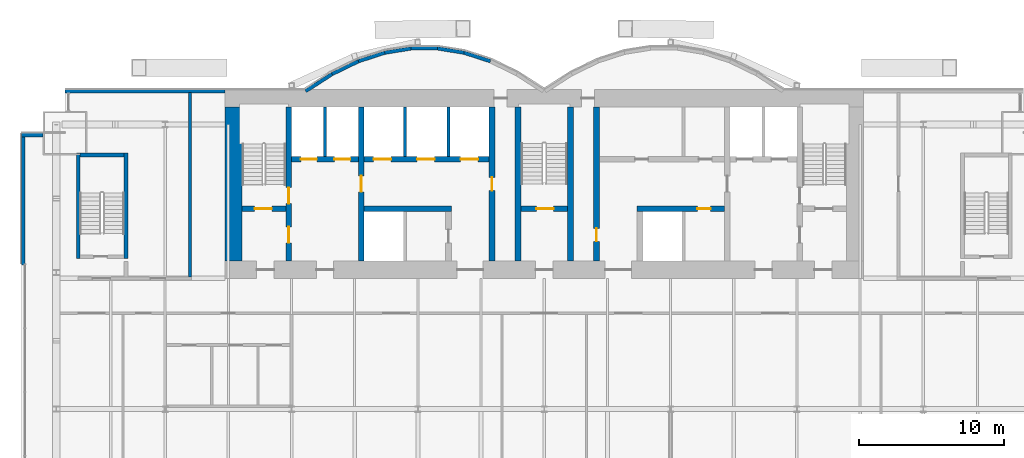
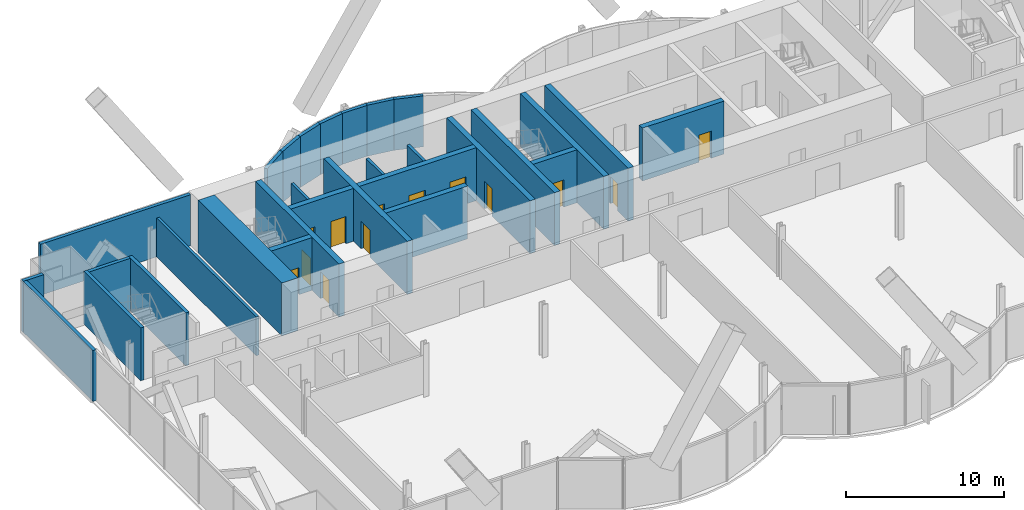
# One storey, part 16 of 21: 29 walls, 13 doors, 13 openings.
"""IFC4 building model written with IfcOpenShell, lengths in metres."""

from ifc_helpers import new_model, si_unit, direction, frame, frame_2d, origin, place, context, subcontext, project, spatial, rectangle, extrude, material, layer, layer_set, layer_usage, type_object, element, fill, save


model = new_model("IFC4")

# Units and contexts
model_context = context("Model", 3, precision=1e-05, world=origin(), true_north=direction((0.0, 1.0)))
body_context = subcontext(model_context, "Body", "Model", "MODEL_VIEW")
ifc_project = project(units=[si_unit("LENGTHUNIT", "METRE"), si_unit("AREAUNIT", "SQUARE_METRE"), si_unit("VOLUMEUNIT", "CUBIC_METRE"), si_unit("PLANEANGLEUNIT", "RADIAN"), si_unit("MASSUNIT", "GRAM", prefix="KILO")], contexts=[model_context])

# Site, building, storey
site_placement = place(None, origin())
site = spatial("IfcSite", under=ifc_project, at=site_placement, CompositionType="ELEMENT")
building_placement = place(site_placement, origin())
building = spatial("IfcBuilding", under=site, at=building_placement, Name="Bicima Exchange Tower", CompositionType="ELEMENT")
storey_placement = place(building_placement, frame((0.0, 0.0, 118.60009765625)))
storey = spatial("IfcBuildingStorey", under=building, at=storey_placement, Name="L25", CompositionType="ELEMENT", Elevation=118.60009765625)

# Walls
ifc_material_1 = material(Name="Gypsum board partition")
ifc_layer_1 = layer(ifc_material_1, 0.199951171875)
ifc_layer_set_1 = layer_set([ifc_layer_1], Name="Gypsum board partition")
wall_type_1 = type_object("IfcWallType", Name="Fire-rated gypsum partition 200 EI120", PredefinedType="PARTITIONING", material=ifc_layer_set_1)
for number, where, z_axis, x_axis, name in (
    (1, (-15.10009765625, -4.60009765625, 0.0), (0.0, 0.0, 1.0), (0.0, 1.0, 0.0), "partition wall 9"),
    (2, (-9.60009765625, -4.60009765625, 0.0), (0.0, 0.0, 1.0), (0.0, 1.0, 0.0), "partition wall 12"),
    (3, (-6.60009765625, -4.60009765625, 0.0), (0.0, 0.0, 1.0), (0.0, 1.0, 0.0), "partition wall 14"),
):
    element("IfcWall", number, at=place(storey_placement, frame(where, z_axis=z_axis, x_axis=x_axis)), inside=storey, type_object=wall_type_1, Name=name, PredefinedType="PARTITIONING", context=body_context, shape_type="SweptSolid", body=[
        extrude(rectangle(XDim=3.400146484375, YDim=0.199951171875, at=frame_2d((1.7001953125, 0.0))), origin(), (0.0, 0.0, 1.0), 3.01806640625),
    ])
ifc_layer_2 = layer(ifc_material_1, 0.199951171875)
ifc_layer_set_2 = layer_set([ifc_layer_2], Name="Gypsum board partition")
wall_type_2 = type_object("IfcWallType", Name="Fire-rated gypsum partition 200 EI60", PredefinedType="PARTITIONING", material=ifc_layer_set_2)
wall_1_placement = place(storey_placement, frame((-24.39990234375, -12.89990234375, 0.0), z_axis=(0.0, 0.0, 1.0), x_axis=(0.0, 1.0, 0.0)))
element("IfcWall", 4, at=wall_1_placement, inside=storey, type_object=wall_type_2, Name="partition wall 16", PredefinedType="PARTITIONING", context=body_context, shape_type="SweptSolid", body=[
    extrude(rectangle(XDim=12.68994140625, YDim=0.199951171875, at=frame_2d((6.344970703125, 0.0))), origin(), (0.0, 0.0, 1.0), 3.01806640625),
])
ifc_material_2 = material(Name="Concrete C60/75", Category="concrete")
ifc_layer_3 = layer(ifc_material_2, 1.199951171875)
ifc_layer_set_3 = layer_set([ifc_layer_3], Name="Concrete C60/75")
wall_type_3 = type_object("IfcWallType", Name="RC core wall 1200 C60/75", PredefinedType="SHEAR", material=ifc_layer_set_3)
wall_2_placement = place(storey_placement, frame((-21.39990234375, -11.800048828125, 0.0), z_axis=(0.0, 0.0, 1.0), x_axis=(0.0, 1.0, 0.0)))
element("IfcWall", 5, at=wall_2_placement, inside=storey, type_object=wall_type_3, Name="Core wall west", PredefinedType="SHEAR", context=body_context, shape_type="SweptSolid", body=[
    extrude(rectangle(XDim=10.60009765625, YDim=1.199951171875, at=frame_2d((5.300048828125, 0.0))), origin(), (0.0, 0.0, 1.0), 4.099853515625),
])

# Wall, opening, door
ifc_material_3 = material(Name="Concrete C50/60", Category="concrete")
ifc_layer_4 = layer(ifc_material_3, 0.39990234375)
ifc_layer_set_4 = layer_set([ifc_layer_4], Name="Concrete C50/60")
wall_type_4 = type_object("IfcWallType", Name="RC core wall 400 C50/60", PredefinedType="SHEAR", material=ifc_layer_set_4)
wall_3_placement = place(storey_placement, frame((-20.800048828125, -8.199951171875, 0.0), z_axis=(0.0, 0.0, 1.0), x_axis=(1.0, 0.0, 0.0)))
wall_3 = element("IfcWall", 6, at=wall_3_placement, inside=storey, type_object=wall_type_4, Name="stair wall 1", PredefinedType="SHEAR", context=body_context, shape_type="SweptSolid", body=[
    extrude(rectangle(XDim=3.0, YDim=0.39990234375, at=frame_2d((1.5, 0.0))), origin(), (0.0, 0.0, 1.0), 4.099853515625),
])
opening_1_placement = place(wall_3_placement, frame((0.85009765625, 0.0, 0.0)))
opening_1 = element("IfcOpeningElement", 7, at=opening_1_placement, cuts=wall_3, Name="Opening L25-C01", PredefinedType="OPENING", context=body_context, shape_type="SweptSolid", body=[
    extrude(rectangle(XDim=1.199951171875, YDim=2.10009765625, at=frame_2d((0.60009765625, 1.050048828125))), frame((0.0, 0.2119140625, 0.0), z_axis=(0.0, -1.0, 0.0), x_axis=(1.0, 0.0, 0.0)), (0.0, 0.0, 1.0), 0.423828125),
])
ifc_material_4 = material(Name="Steel fire door leaf", Category="steel")
door_type_1 = type_object("IfcDoorType", Name="Door 1200 swing FD60S", OperationType="SINGLE_SWING_LEFT", PredefinedType="DOOR", material=ifc_material_4)
door_1_placement = place(opening_1_placement, origin())
door_1 = element("IfcDoor", 8, at=door_1_placement, inside=storey, type_object=door_type_1, Name="Core door", OperationType="SINGLE_SWING_LEFT", OverallHeight=2.10009765625, OverallWidth=1.199951171875, PredefinedType="DOOR", context=body_context, shape_type="SweptSolid", body=[
    extrude(rectangle(XDim=1.199951171875, YDim=2.10009765625, at=frame_2d((0.60009765625, 1.050048828125))), frame((0.0, 0.02490234375, 0.0), z_axis=(0.0, -1.0, 0.0), x_axis=(1.0, 0.0, 0.0)), (0.0, 0.0, 1.0), 0.050048828125),
])
fill(opening_1, door_1)

wall_4_placement = place(storey_placement, frame((-1.60009765625, -8.199951171875, 0.0), z_axis=(0.0, 0.0, 1.0), x_axis=(1.0, 0.0, 0.0)))
wall_4 = element("IfcWall", 9, at=wall_4_placement, inside=storey, type_object=wall_type_4, Name="stair wall 3", PredefinedType="SHEAR", context=body_context, shape_type="SweptSolid", body=[
    extrude(rectangle(XDim=3.2001953125, YDim=0.39990234375, at=frame_2d((1.60009765625, 0.0))), origin(), (0.0, 0.0, 1.0), 4.099853515625),
])
opening_2_placement = place(wall_4_placement, frame((1.050048828125, 0.0, 0.0)))
opening_2 = element("IfcOpeningElement", 10, at=opening_2_placement, cuts=wall_4, Name="Opening L25-C03", PredefinedType="OPENING", context=body_context, shape_type="SweptSolid", body=[
    extrude(rectangle(XDim=1.199951171875, YDim=2.10009765625, at=frame_2d((0.60009765625, 1.050048828125))), frame((0.0, 0.2119140625, 0.0), z_axis=(0.0, -1.0, 0.0), x_axis=(1.0, 0.0, 0.0)), (0.0, 0.0, 1.0), 0.423828125),
])
door_2_placement = place(opening_2_placement, origin())
door_2 = element("IfcDoor", 11, at=door_2_placement, inside=storey, type_object=door_type_1, Name="Core door", OperationType="SINGLE_SWING_LEFT", OverallHeight=2.10009765625, OverallWidth=1.199951171875, PredefinedType="DOOR", context=body_context, shape_type="SweptSolid", body=[
    extrude(rectangle(XDim=1.199951171875, YDim=2.10009765625, at=frame_2d((0.60009765625, 1.050048828125))), frame((0.0, 0.02490234375, 0.0), z_axis=(0.0, -1.0, 0.0), x_axis=(1.0, 0.0, 0.0)), (0.0, 0.0, 1.0), 0.050048828125),
])
fill(opening_2, door_2)

# Wall, openings, doors
wall_5_placement = place(storey_placement, frame((-17.60009765625, -11.800048828125, 0.0), z_axis=(0.0, 0.0, 1.0), x_axis=(0.0, 1.0, 0.0)))
wall_5 = element("IfcWall", 12, at=wall_5_placement, inside=storey, type_object=wall_type_4, Name="stair wall 8", PredefinedType="SHEAR", context=body_context, shape_type="SweptSolid", body=[
    extrude(rectangle(XDim=10.60009765625, YDim=0.39990234375, at=frame_2d((5.300048828125, 0.0))), origin(), (0.0, 0.0, 1.0), 4.099853515625),
])
opening_3_placement = place(wall_5_placement, frame((1.25, 0.0, 0.0)))
opening_3 = element("IfcOpeningElement", 13, at=opening_3_placement, cuts=wall_5, Name="Opening L25-C02", PredefinedType="OPENING", context=body_context, shape_type="SweptSolid", body=[
    extrude(rectangle(XDim=1.10009765625, YDim=2.10009765625, at=frame_2d((0.550048828125, 1.050048828125))), frame((0.0, 0.2119140625, 0.0), z_axis=(0.0, -1.0, 0.0), x_axis=(1.0, 0.0, 0.0)), (0.0, 0.0, 1.0), 0.423828125),
])
opening_4_placement = place(wall_5_placement, frame((3.949951171875, 0.0, 0.0)))
opening_4 = element("IfcOpeningElement", 14, at=opening_4_placement, cuts=wall_5, Name="Opening L25-C06", PredefinedType="OPENING", context=body_context, shape_type="SweptSolid", body=[
    extrude(rectangle(XDim=1.10009765625, YDim=2.10009765625, at=frame_2d((0.550048828125, 1.050048828125))), frame((0.0, 0.2119140625, 0.0), z_axis=(0.0, -1.0, 0.0), x_axis=(1.0, 0.0, 0.0)), (0.0, 0.0, 1.0), 0.423828125),
])
door_type_2 = type_object("IfcDoorType", Name="Door 1100 swing FD60S", OperationType="SINGLE_SWING_LEFT", PredefinedType="DOOR", material=ifc_material_4)
door_3_placement = place(opening_3_placement, frame((1.10009765625, 0.0, 0.0), z_axis=(0.0, 0.0, 1.0), x_axis=(-1.0, 0.0, 0.0)))
door_3 = element("IfcDoor", 15, at=door_3_placement, inside=storey, type_object=door_type_2, Name="Core door", OperationType="SINGLE_SWING_LEFT", OverallHeight=2.10009765625, OverallWidth=1.10009765625, PredefinedType="DOOR", context=body_context, shape_type="SweptSolid", body=[
    extrude(rectangle(XDim=1.10009765625, YDim=2.10009765625, at=frame_2d((0.550048828125, 1.050048828125))), frame((0.0, 0.02490234375, 0.0), z_axis=(0.0, -1.0, 0.0), x_axis=(1.0, 0.0, 0.0)), (0.0, 0.0, 1.0), 0.050048828125),
])
fill(opening_3, door_3)
door_4_placement = place(opening_4_placement, frame((1.10009765625, 0.0, 0.0), z_axis=(0.0, 0.0, 1.0), x_axis=(-1.0, 0.0, 0.0)))
door_4 = element("IfcDoor", 16, at=door_4_placement, inside=storey, type_object=door_type_2, Name="Core door", OperationType="SINGLE_SWING_LEFT", OverallHeight=2.10009765625, OverallWidth=1.10009765625, PredefinedType="DOOR", context=body_context, shape_type="SweptSolid", body=[
    extrude(rectangle(XDim=1.10009765625, YDim=2.10009765625, at=frame_2d((0.550048828125, 1.050048828125))), frame((0.0, 0.02490234375, 0.0), z_axis=(0.0, -1.0, 0.0), x_axis=(1.0, 0.0, 0.0)), (0.0, 0.0, 1.0), 0.050048828125),
])
fill(opening_4, door_4)

# Walls
for number, where, z_axis, x_axis, name in (
    (17, (-1.800048828125, -11.800048828125, 0.0), (0.0, 0.0, 1.0), (0.0, 1.0, 0.0), "stair wall 16"),
    (18, (1.800048828125, -11.800048828125, 0.0), (0.0, 0.0, 1.0), (0.0, 1.0, 0.0), "stair wall 17"),
):
    element("IfcWall", number, at=place(storey_placement, frame(where, z_axis=z_axis, x_axis=x_axis)), inside=storey, type_object=wall_type_4, Name=name, PredefinedType="SHEAR", context=body_context, shape_type="SweptSolid", body=[
        extrude(rectangle(XDim=10.60009765625, YDim=0.39990234375, at=frame_2d((5.300048828125, 0.0))), origin(), (0.0, 0.0, 1.0), 4.099853515625),
    ])
ifc_layer_5 = layer(ifc_material_2, 0.39990234375)
ifc_layer_set_5 = layer_set([ifc_layer_5], Name="Concrete C60/75")
wall_type_5 = type_object("IfcWallType", Name="RC core wall 400 C60/75", PredefinedType="SHEAR", material=ifc_layer_set_5)
wall_6_placement = place(storey_placement, frame((-12.39990234375, -8.199951171875, 0.0), z_axis=(0.0, 0.0, 1.0), x_axis=(1.0, 0.0, 0.0)))
element("IfcWall", 19, at=wall_6_placement, inside=storey, type_object=wall_type_5, Name="shear wall 2", PredefinedType="SHEAR", context=body_context, shape_type="SweptSolid", body=[
    extrude(rectangle(XDim=6.0, YDim=0.39990234375, at=frame_2d((3.0, 0.0))), origin(), (0.0, 0.0, 1.0), 4.099853515625),
])

# Wall, opening, door
wall_7_placement = place(storey_placement, frame((6.39990234375, -8.199951171875, 0.0), z_axis=(0.0, 0.0, 1.0), x_axis=(1.0, 0.0, 0.0)))
wall_7 = element("IfcWall", 20, at=wall_7_placement, inside=storey, type_object=wall_type_5, Name="shear wall 4", PredefinedType="SHEAR", context=body_context, shape_type="SweptSolid", body=[
    extrude(rectangle(XDim=6.0, YDim=0.39990234375, at=frame_2d((3.0, 0.0))), origin(), (0.0, 0.0, 1.0), 4.099853515625),
])
opening_5_placement = place(wall_7_placement, frame((4.14990234375, 0.0, 0.0)))
opening_5 = element("IfcOpeningElement", 21, at=opening_5_placement, cuts=wall_7, Name="Opening L25-C15", PredefinedType="OPENING", context=body_context, shape_type="SweptSolid", body=[
    extrude(rectangle(XDim=0.89990234375, YDim=2.10009765625, at=frame_2d((0.449951171875, 1.050048828125))), frame((0.0, 0.2119140625, 0.0), z_axis=(0.0, -1.0, 0.0), x_axis=(1.0, 0.0, 0.0)), (0.0, 0.0, 1.0), 0.423828125),
])
door_type_3 = type_object("IfcDoorType", Name="Door 900 swing FD30S", OperationType="SINGLE_SWING_LEFT", PredefinedType="DOOR", material=ifc_material_4)
door_5_placement = place(opening_5_placement, frame((0.89990234375, 0.0, 0.0), z_axis=(0.0, 0.0, 1.0), x_axis=(-1.0, 0.0, 0.0)))
door_5 = element("IfcDoor", 22, at=door_5_placement, inside=storey, type_object=door_type_3, Name="Core door", OperationType="SINGLE_SWING_RIGHT", OverallHeight=2.10009765625, OverallWidth=0.89990234375, PredefinedType="DOOR", context=body_context, shape_type="SweptSolid", body=[
    extrude(rectangle(XDim=0.89990234375, YDim=2.10009765625, at=frame_2d((0.449951171875, 1.050048828125))), frame((0.0, 0.02490234375, 0.0), z_axis=(0.0, -1.0, 0.0), x_axis=(1.0, 0.0, 0.0)), (0.0, 0.0, 1.0), 0.050048828125),
])
fill(opening_5, door_5)

# Wall, openings, doors
wall_8_placement = place(storey_placement, frame((-17.39990234375, -4.800048828125, 0.0), z_axis=(0.0, 0.0, 1.0), x_axis=(1.0, 0.0, 0.0)))
wall_8 = element("IfcWall", 23, at=wall_8_placement, inside=storey, type_object=wall_type_5, Name="shear wall 6", PredefinedType="SHEAR", context=body_context, shape_type="SweptSolid", body=[
    extrude(rectangle(XDim=13.599853515625, YDim=0.39990234375, at=frame_2d((6.7998046875, 0.0))), origin(), (0.0, 0.0, 1.0), 4.099853515625),
])
opening_6_placement = place(wall_8_placement, frame((0.64990234375, 0.0, 0.0)))
opening_6 = element("IfcOpeningElement", 24, at=opening_6_placement, cuts=wall_8, Name="Opening LD-FF1-L25", PredefinedType="OPENING", context=body_context, shape_type="SweptSolid", body=[
    extrude(rectangle(XDim=1.10009765625, YDim=2.10009765625, at=frame_2d((0.550048828125, 1.050048828125))), frame((0.0, 0.2119140625, 0.0), z_axis=(0.0, -1.0, 0.0), x_axis=(1.0, 0.0, 0.0)), (0.0, 0.0, 1.0), 0.423828125),
])
opening_7_placement = place(wall_8_placement, frame((2.949951171875, 0.0, 0.0)))
opening_7 = element("IfcOpeningElement", 25, at=opening_7_placement, cuts=wall_8, Name="Opening LD-FF3-L25", PredefinedType="OPENING", context=body_context, shape_type="SweptSolid", body=[
    extrude(rectangle(XDim=1.10009765625, YDim=2.10009765625, at=frame_2d((0.550048828125, 1.050048828125))), frame((0.0, 0.2119140625, 0.0), z_axis=(0.0, -1.0, 0.0), x_axis=(1.0, 0.0, 0.0)), (0.0, 0.0, 1.0), 0.423828125),
])
opening_8_placement = place(wall_8_placement, frame((5.64990234375, 0.0, 0.0)))
opening_8 = element("IfcOpeningElement", 26, at=opening_8_placement, cuts=wall_8, Name="Opening LD-LB1-L25", PredefinedType="OPENING", context=body_context, shape_type="SweptSolid", body=[
    extrude(rectangle(XDim=1.199951171875, YDim=2.10009765625, at=frame_2d((0.60009765625, 1.050048828125))), frame((0.0, 0.2119140625, 0.0), z_axis=(0.0, -1.0, 0.0), x_axis=(1.0, 0.0, 0.0)), (0.0, 0.0, 1.0), 0.423828125),
])
opening_9_placement = place(wall_8_placement, frame((8.64990234375, 0.0, 0.0)))
opening_9 = element("IfcOpeningElement", 27, at=opening_9_placement, cuts=wall_8, Name="Opening LD-LB2-L25", PredefinedType="OPENING", context=body_context, shape_type="SweptSolid", body=[
    extrude(rectangle(XDim=1.199951171875, YDim=2.10009765625, at=frame_2d((0.60009765625, 1.050048828125))), frame((0.0, 0.2119140625, 0.0), z_axis=(0.0, -1.0, 0.0), x_axis=(1.0, 0.0, 0.0)), (0.0, 0.0, 1.0), 0.423828125),
])
opening_10_placement = place(wall_8_placement, frame((11.64990234375, 0.0, 0.0)))
opening_10 = element("IfcOpeningElement", 28, at=opening_10_placement, cuts=wall_8, Name="Opening LD-LB3-L25", PredefinedType="OPENING", context=body_context, shape_type="SweptSolid", body=[
    extrude(rectangle(XDim=1.199951171875, YDim=2.10009765625, at=frame_2d((0.60009765625, 1.050048828125))), frame((0.0, 0.2119140625, 0.0), z_axis=(0.0, -1.0, 0.0), x_axis=(1.0, 0.0, 0.0)), (0.0, 0.0, 1.0), 0.423828125),
])
ifc_material_5 = material(Name="Stainless steel", Category="steel")
door_type_4 = type_object("IfcDoorType", Name="Lift landing door 1100 sliding", OperationType="DOUBLE_DOOR_SLIDING", PredefinedType="DOOR", material=ifc_material_5)
door_6_placement = place(opening_6_placement, origin())
door_6 = element("IfcDoor", 29, at=door_6_placement, inside=storey, type_object=door_type_4, Name="Lift landing door FF1", OperationType="DOUBLE_DOOR_SLIDING", OverallHeight=2.10009765625, OverallWidth=1.10009765625, PredefinedType="DOOR", context=body_context, shape_type="SweptSolid", body=[
    extrude(rectangle(XDim=1.10009765625, YDim=2.10009765625, at=frame_2d((0.550048828125, 1.050048828125))), frame((0.0, 0.02490234375, 0.0), z_axis=(0.0, -1.0, 0.0), x_axis=(1.0, 0.0, 0.0)), (0.0, 0.0, 1.0), 0.050048828125),
])
fill(opening_6, door_6)
door_7_placement = place(opening_7_placement, origin())
door_7 = element("IfcDoor", 30, at=door_7_placement, inside=storey, type_object=door_type_4, Name="Lift landing door FF3", OperationType="DOUBLE_DOOR_SLIDING", OverallHeight=2.10009765625, OverallWidth=1.10009765625, PredefinedType="DOOR", context=body_context, shape_type="SweptSolid", body=[
    extrude(rectangle(XDim=1.10009765625, YDim=2.10009765625, at=frame_2d((0.550048828125, 1.050048828125))), frame((0.0, 0.02490234375, 0.0), z_axis=(0.0, -1.0, 0.0), x_axis=(1.0, 0.0, 0.0)), (0.0, 0.0, 1.0), 0.050048828125),
])
fill(opening_7, door_7)
door_type_5 = type_object("IfcDoorType", Name="Lift landing door 1200 sliding", OperationType="DOUBLE_DOOR_SLIDING", PredefinedType="DOOR", material=ifc_material_5)
door_8_placement = place(opening_8_placement, origin())
door_8 = element("IfcDoor", 31, at=door_8_placement, inside=storey, type_object=door_type_5, Name="Lift landing door LB1", OperationType="DOUBLE_DOOR_SLIDING", OverallHeight=2.10009765625, OverallWidth=1.199951171875, PredefinedType="DOOR", context=body_context, shape_type="SweptSolid", body=[
    extrude(rectangle(XDim=1.199951171875, YDim=2.10009765625, at=frame_2d((0.60009765625, 1.050048828125))), frame((0.0, 0.02490234375, 0.0), z_axis=(0.0, -1.0, 0.0), x_axis=(1.0, 0.0, 0.0)), (0.0, 0.0, 1.0), 0.050048828125),
])
fill(opening_8, door_8)
door_9_placement = place(opening_9_placement, origin())
door_9 = element("IfcDoor", 32, at=door_9_placement, inside=storey, type_object=door_type_5, Name="Lift landing door LB2", OperationType="DOUBLE_DOOR_SLIDING", OverallHeight=2.10009765625, OverallWidth=1.199951171875, PredefinedType="DOOR", context=body_context, shape_type="SweptSolid", body=[
    extrude(rectangle(XDim=1.199951171875, YDim=2.10009765625, at=frame_2d((0.60009765625, 1.050048828125))), frame((0.0, 0.02490234375, 0.0), z_axis=(0.0, -1.0, 0.0), x_axis=(1.0, 0.0, 0.0)), (0.0, 0.0, 1.0), 0.050048828125),
])
fill(opening_9, door_9)
door_10_placement = place(opening_10_placement, origin())
door_10 = element("IfcDoor", 33, at=door_10_placement, inside=storey, type_object=door_type_5, Name="Lift landing door LB3", OperationType="DOUBLE_DOOR_SLIDING", OverallHeight=2.10009765625, OverallWidth=1.199951171875, PredefinedType="DOOR", context=body_context, shape_type="SweptSolid", body=[
    extrude(rectangle(XDim=1.199951171875, YDim=2.10009765625, at=frame_2d((0.60009765625, 1.050048828125))), frame((0.0, 0.02490234375, 0.0), z_axis=(0.0, -1.0, 0.0), x_axis=(1.0, 0.0, 0.0)), (0.0, 0.0, 1.0), 0.050048828125),
])
fill(opening_10, door_10)

# Wall, opening, door
wall_9_placement = place(storey_placement, frame((-12.60009765625, -11.800048828125, 0.0), z_axis=(0.0, 0.0, 1.0), x_axis=(0.0, 1.0, 0.0)))
wall_9 = element("IfcWall", 34, at=wall_9_placement, inside=storey, type_object=wall_type_5, Name="shear wall 10", PredefinedType="SHEAR", context=body_context, shape_type="SweptSolid", body=[
    extrude(rectangle(XDim=10.60009765625, YDim=0.39990234375, at=frame_2d((5.300048828125, 0.0))), origin(), (0.0, 0.0, 1.0), 4.099853515625),
])
opening_11_placement = place(wall_9_placement, frame((4.75, 0.0, 0.0)))
opening_11 = element("IfcOpeningElement", 35, at=opening_11_placement, cuts=wall_9, Name="Opening L25-C07", PredefinedType="OPENING", context=body_context, shape_type="SweptSolid", body=[
    extrude(rectangle(XDim=1.10009765625, YDim=2.10009765625, at=frame_2d((0.550048828125, 1.050048828125))), frame((0.0, 0.2119140625, 0.0), z_axis=(0.0, -1.0, 0.0), x_axis=(1.0, 0.0, 0.0)), (0.0, 0.0, 1.0), 0.423828125),
])
door_11_placement = place(opening_11_placement, origin())
door_11 = element("IfcDoor", 36, at=door_11_placement, inside=storey, type_object=door_type_2, Name="Core door", OperationType="SINGLE_SWING_LEFT", OverallHeight=2.10009765625, OverallWidth=1.10009765625, PredefinedType="DOOR", context=body_context, shape_type="SweptSolid", body=[
    extrude(rectangle(XDim=1.10009765625, YDim=2.10009765625, at=frame_2d((0.550048828125, 1.050048828125))), frame((0.0, 0.02490234375, 0.0), z_axis=(0.0, -1.0, 0.0), x_axis=(1.0, 0.0, 0.0)), (0.0, 0.0, 1.0), 0.050048828125),
])
fill(opening_11, door_11)

wall_10_placement = place(storey_placement, frame((-3.60009765625, -11.800048828125, 0.0), z_axis=(0.0, 0.0, 1.0), x_axis=(0.0, 1.0, 0.0)))
wall_10 = element("IfcWall", 37, at=wall_10_placement, inside=storey, type_object=wall_type_5, Name="shear wall 15", PredefinedType="SHEAR", context=body_context, shape_type="SweptSolid", body=[
    extrude(rectangle(XDim=10.60009765625, YDim=0.39990234375, at=frame_2d((5.300048828125, 0.0))), origin(), (0.0, 0.0, 1.0), 4.099853515625),
])
opening_12_placement = place(wall_10_placement, frame((4.85009765625, 0.0, 0.0)))
opening_12 = element("IfcOpeningElement", 38, at=opening_12_placement, cuts=wall_10, Name="Opening L25-C10", PredefinedType="OPENING", context=body_context, shape_type="SweptSolid", body=[
    extrude(rectangle(XDim=0.89990234375, YDim=2.10009765625, at=frame_2d((0.449951171875, 1.050048828125))), frame((0.0, 0.2119140625, 0.0), z_axis=(0.0, -1.0, 0.0), x_axis=(1.0, 0.0, 0.0)), (0.0, 0.0, 1.0), 0.423828125),
])
door_12_placement = place(opening_12_placement, frame((0.89990234375, 0.0, 0.0), z_axis=(0.0, 0.0, 1.0), x_axis=(-1.0, 0.0, 0.0)))
door_12 = element("IfcDoor", 39, at=door_12_placement, inside=storey, type_object=door_type_3, Name="Core door", OperationType="SINGLE_SWING_LEFT", OverallHeight=2.10009765625, OverallWidth=0.89990234375, PredefinedType="DOOR", context=body_context, shape_type="SweptSolid", body=[
    extrude(rectangle(XDim=0.89990234375, YDim=2.10009765625, at=frame_2d((0.449951171875, 1.050048828125))), frame((0.0, 0.02490234375, 0.0), z_axis=(0.0, -1.0, 0.0), x_axis=(1.0, 0.0, 0.0)), (0.0, 0.0, 1.0), 0.050048828125),
])
fill(opening_12, door_12)

wall_11_placement = place(storey_placement, frame((3.60009765625, -11.800048828125, 0.0), z_axis=(0.0, 0.0, 1.0), x_axis=(0.0, 1.0, 0.0)))
wall_11 = element("IfcWall", 40, at=wall_11_placement, inside=storey, type_object=wall_type_5, Name="shear wall 18", PredefinedType="SHEAR", context=body_context, shape_type="SweptSolid", body=[
    extrude(rectangle(XDim=10.60009765625, YDim=0.39990234375, at=frame_2d((5.300048828125, 0.0))), origin(), (0.0, 0.0, 1.0), 4.099853515625),
])
opening_13_placement = place(wall_11_placement, frame((1.35009765625, 0.0, 0.0)))
opening_13 = element("IfcOpeningElement", 41, at=opening_13_placement, cuts=wall_11, Name="Opening L25-C11", PredefinedType="OPENING", context=body_context, shape_type="SweptSolid", body=[
    extrude(rectangle(XDim=0.89990234375, YDim=2.10009765625, at=frame_2d((0.449951171875, 1.050048828125))), frame((0.0, 0.2119140625, 0.0), z_axis=(0.0, -1.0, 0.0), x_axis=(1.0, 0.0, 0.0)), (0.0, 0.0, 1.0), 0.423828125),
])
door_13_placement = place(opening_13_placement, origin())
door_13 = element("IfcDoor", 42, at=door_13_placement, inside=storey, type_object=door_type_3, Name="Core door", OperationType="SINGLE_SWING_LEFT", OverallHeight=2.10009765625, OverallWidth=0.89990234375, PredefinedType="DOOR", context=body_context, shape_type="SweptSolid", body=[
    extrude(rectangle(XDim=0.89990234375, YDim=2.10009765625, at=frame_2d((0.449951171875, 1.050048828125))), frame((0.0, 0.02490234375, 0.0), z_axis=(0.0, -1.0, 0.0), x_axis=(1.0, 0.0, 0.0)), (0.0, 0.0, 1.0), 0.050048828125),
])
fill(opening_13, door_13)

# Walls
ifc_layer_6 = layer(ifc_material_3, 0.25)
ifc_layer_set_6 = layer_set([ifc_layer_6], Name="Concrete C50/60")
wall_type_6 = type_object("IfcWallType", Name="RC stair enclosure wall 250 C50/60", PredefinedType="SHEAR", material=ifc_layer_set_6)
for number, where, z_axis, x_axis, name in (
    (43, (-32.10009765625, -11.625, 0.0), (0.0, 0.0, 1.0), (0.0, 1.0, 0.0), "West end exit stair wall W"),
    (44, (-28.800048828125, -11.625, 0.0), (0.0, 0.0, 1.0), (0.0, 1.0, 0.0), "West end exit stair wall E"),
):
    element("IfcWall", number, at=place(storey_placement, frame(where, z_axis=z_axis, x_axis=x_axis)), inside=storey, type_object=wall_type_6, Name=name, PredefinedType="SHEAR", context=body_context, shape_type="SweptSolid", body=[
        extrude(rectangle(XDim=7.25, YDim=0.25, at=frame_2d((3.625, 0.0))), origin(), (0.0, 0.0, 1.0), 4.099853515625),
    ])
wall_12_placement = place(storey_placement, frame((-31.97509765625, -4.5, 0.0), z_axis=(0.0, 0.0, 1.0), x_axis=(1.0, 0.0, 0.0)))
element("IfcWall", 45, at=wall_12_placement, inside=storey, type_object=wall_type_6, Name="West end exit stair wall N", PredefinedType="SHEAR", context=body_context, shape_type="SweptSolid", body=[
    extrude(rectangle(XDim=3.050048828125, YDim=0.25, at=frame_2d((1.52490234375, 0.0))), origin(), (0.0, 0.0, 1.0), 4.099853515625),
])
ifc_material_6 = material(Name="Concrete C40/50", Category="concrete")
ifc_layer_7 = layer(ifc_material_6, 0.25)
ifc_layer_set_7 = layer_set([ifc_layer_7], Name="Concrete C40/50")
ifc_layer_usage = layer_usage(ifc_layer_set_7, "AXIS2", "POSITIVE", -0.125)
wall_type_7 = type_object("IfcWallType", Name="Rear backup wall 250", PredefinedType="STANDARD", material=ifc_layer_set_7)
wall_13_placement = place(storey_placement, frame((-3.705078125, 1.955078125, 0.0), z_axis=(0.0, 0.0, 1.0), x_axis=(-0.951495806175, 0.307661714928, 0.0)))
element("IfcWall", 46, at=wall_13_placement, inside=storey, type_object=wall_type_7, material=ifc_layer_usage, Name="Rear backup wall L25 13", PredefinedType="STANDARD", context=body_context, shape_type="SweptSolid", body=[
    extrude(rectangle(XDim=1.9267578125, YDim=0.25, at=frame_2d((0.96337890625, 0.0))), origin(), (0.0, 0.0, 1.0), 3.949951171875),
])
wall_14_placement = place(storey_placement, frame((-5.52001953125, 2.543212890625, 0.0), z_axis=(0.0, 0.0, 1.0), x_axis=(-0.987181718931, 0.159600293885, 0.0)))
element("IfcWall", 47, at=wall_14_placement, inside=storey, type_object=wall_type_7, material=ifc_layer_usage, Name="Rear backup wall L25 14", PredefinedType="STANDARD", context=body_context, shape_type="SweptSolid", body=[
    extrude(rectangle(XDim=1.857177734375, YDim=0.25, at=frame_2d((0.9287109375, 0.0))), origin(), (0.0, 0.0, 1.0), 3.949951171875),
])
wall_15_placement = place(storey_placement, frame((-7.333251953125, 2.837890625, 0.0), z_axis=(0.0, 0.0, 1.0), x_axis=(-1.0, 0.0, 0.0)))
element("IfcWall", 48, at=wall_15_placement, inside=storey, type_object=wall_type_7, material=ifc_layer_usage, Name="Rear backup wall L25 15", PredefinedType="STANDARD", context=body_context, shape_type="SweptSolid", body=[
    extrude(rectangle(XDim=1.83349609375, YDim=0.25, at=frame_2d((0.916748046875, 0.0))), origin(), (0.0, 0.0, 1.0), 3.949951171875),
])
wall_16_placement = place(storey_placement, frame((-9.146728515625, 2.839599609375, 0.0), z_axis=(0.0, 0.0, 1.0), x_axis=(-0.987181718931, -0.159600293885, 0.0)))
element("IfcWall", 49, at=wall_16_placement, inside=storey, type_object=wall_type_7, material=ifc_layer_usage, Name="Rear backup wall L25 16", PredefinedType="STANDARD", context=body_context, shape_type="SweptSolid", body=[
    extrude(rectangle(XDim=1.857177734375, YDim=0.25, at=frame_2d((0.9287109375, 0.0))), origin(), (0.0, 0.0, 1.0), 3.949951171875),
])
wall_17_placement = place(storey_placement, frame((-10.961669921875, 2.5478515625, 0.0), z_axis=(0.0, 0.0, 1.0), x_axis=(-0.951495806175, -0.307661714928, 0.0)))
element("IfcWall", 50, at=wall_17_placement, inside=storey, type_object=wall_type_7, material=ifc_layer_usage, Name="Rear backup wall L25 17", PredefinedType="STANDARD", context=body_context, shape_type="SweptSolid", body=[
    extrude(rectangle(XDim=1.9267578125, YDim=0.25, at=frame_2d((0.96337890625, 0.0))), origin(), (0.0, 0.0, 1.0), 3.949951171875),
])
wall_18_placement = place(storey_placement, frame((-12.77880859375, 1.961669921875, 0.0), z_axis=(0.0, 0.0, 1.0), x_axis=(-0.89982408427, -0.436252928206, 0.0)))
element("IfcWall", 51, at=wall_18_placement, inside=storey, type_object=wall_type_7, material=ifc_layer_usage, Name="Rear backup wall L25 18", PredefinedType="STANDARD", context=body_context, shape_type="SweptSolid", body=[
    extrude(rectangle(XDim=2.03759765625, YDim=0.25, at=frame_2d((1.018798828125, 0.0))), origin(), (0.0, 0.0, 1.0), 3.949951171875),
])
wall_19_placement = place(storey_placement, frame((-14.598876953125, 1.080078125, 0.0), z_axis=(0.0, 0.0, 1.0), x_axis=(-0.83981312244, -0.542875602121, 0.0)))
element("IfcWall", 52, at=wall_19_placement, inside=storey, type_object=wall_type_7, material=ifc_layer_usage, Name="Rear backup wall L25 19", PredefinedType="STANDARD", context=body_context, shape_type="SweptSolid", body=[
    extrude(rectangle(XDim=2.182861328125, YDim=0.25, at=frame_2d((1.09130859375, 0.0))), origin(), (0.0, 0.0, 1.0), 3.949951171875),
])
wall_20_placement = place(storey_placement, frame((-22.0, -0.125, 0.0), z_axis=(0.0, 0.0, 1.0), x_axis=(-1.0, 0.0, 0.0)))
element("IfcWall", 53, at=wall_20_placement, inside=storey, type_object=wall_type_7, material=ifc_layer_usage, Name="Rear backup wall L25 20", PredefinedType="STANDARD", context=body_context, shape_type="SweptSolid", body=[
    extrude(rectangle(XDim=11.0, YDim=0.25, at=frame_2d((5.5, 0.0))), origin(), (0.0, 0.0, 1.0), 3.949951171875),
])
wall_21_placement = place(storey_placement, frame((-34.5, -3.125, 0.0), z_axis=(0.0, 0.0, 1.0), x_axis=(-1.0, 0.0, 0.0)))
element("IfcWall", 54, at=wall_21_placement, inside=storey, type_object=wall_type_7, material=ifc_layer_usage, Name="Rear backup wall L25 22", PredefinedType="STANDARD", context=body_context, shape_type="SweptSolid", body=[
    extrude(rectangle(XDim=1.5, YDim=0.25, at=frame_2d((0.75, 0.0))), origin(), (0.0, 0.0, 1.0), 3.949951171875),
])
wall_22_placement = place(storey_placement, frame((-35.875, -3.0, 0.0), z_axis=(0.0, 0.0, 1.0), x_axis=(0.0, -1.0, 0.0)))
element("IfcWall", 55, at=wall_22_placement, inside=storey, type_object=wall_type_7, material=ifc_layer_usage, Name="Rear backup wall L25 23", PredefinedType="STANDARD", context=body_context, shape_type="SweptSolid", body=[
    extrude(rectangle(XDim=9.090087890625, YDim=0.25, at=frame_2d((4.544921875, 0.0))), origin(), (0.0, 0.0, 1.0), 3.949951171875),
])

save(model, "model.ifc")
